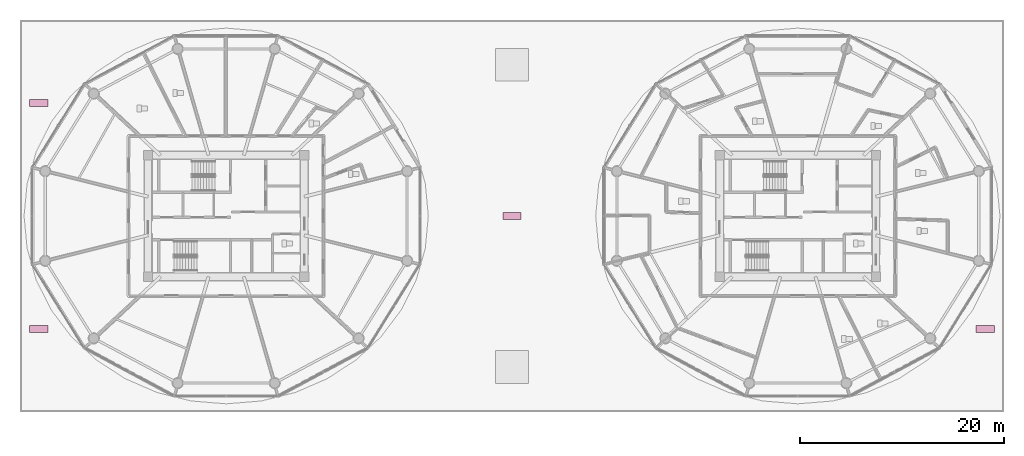
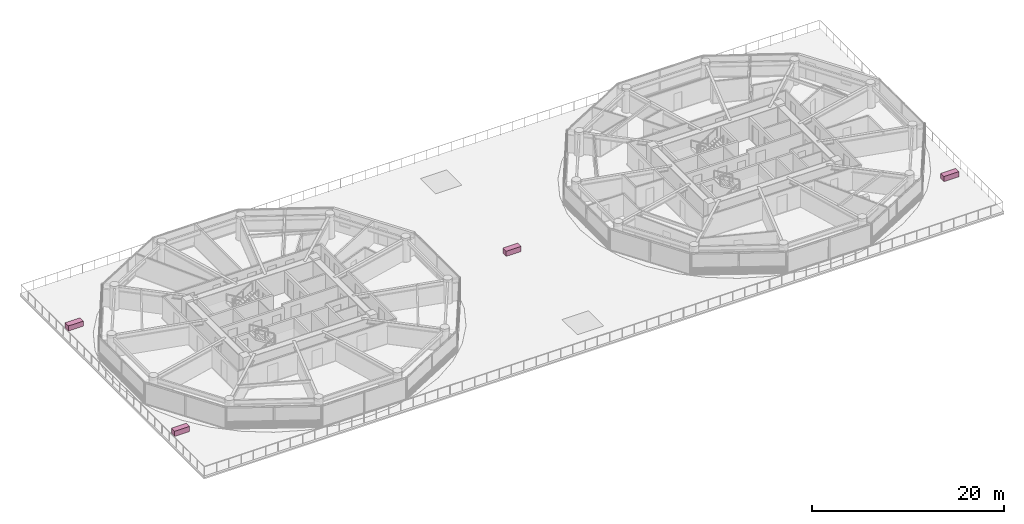
# One storey, part 32 of 32: 4 furnishings.
"""IFC4 building model written with IfcOpenShell, lengths in metres."""

from ifc_helpers import new_model, si_unit, direction, frame, origin, origin_2d, place, context, subcontext, project, spatial, rectangle, extrude, source, transform, mapped, material, type_object, type_shapes, element, save


model = new_model("IFC4")

# Units and contexts
model_context = context("Model", 3, precision=1e-05, world=origin(), true_north=direction((0.0, 1.0)))
body_context = subcontext(model_context, "Body", "Model", "MODEL_VIEW")
ifc_project = project(units=[si_unit("LENGTHUNIT", "METRE"), si_unit("AREAUNIT", "SQUARE_METRE"), si_unit("VOLUMEUNIT", "CUBIC_METRE"), si_unit("PLANEANGLEUNIT", "RADIAN"), si_unit("MASSUNIT", "GRAM", prefix="KILO")], contexts=[model_context])

# Site, building, storey
site_placement = place(None, origin())
site = spatial("IfcSite", under=ifc_project, at=site_placement, CompositionType="ELEMENT")
building_placement = place(site_placement, origin())
building = spatial("IfcBuilding", under=site, at=building_placement, Name="Norrkilde Senior Care Towers", CompositionType="ELEMENT")
storey_placement = place(building_placement, frame((0.0, 0.0, 21.60009765625)))
storey = spatial("IfcBuildingStorey", under=building, at=storey_placement, Name="L05", CompositionType="ELEMENT", Elevation=21.60009765625)

# Furnishings
ifc_material = material(Name="Architectural Terracotta", Category="masonry")
furnishing_element_type = type_object("IfcFurnishingElementType", Name="Nordic Terrace Planter Bed PLANTER", material=ifc_material)
shared_shape = source(origin(), body_context, "Body", "SweptSolid", [
    extrude(rectangle(XDim=1.800048828125, YDim=0.699951171875, at=origin_2d()), origin(), (0.0, 0.0, 1.0), 0.64990234375),
])
type_shapes(furnishing_element_type, [shared_shape])
for number, where, z_axis, x_axis, name in (
    (1, (0.0, 0.0, 0.0), (0.0, 0.0, 1.0), (1.0, 0.0, 0.0), "L05 Nordic Planted Terrace Bed 13"),
    (2, (-46.35009765625, 11.0732421875, 0.0), (0.0, 0.0, 1.0), (1.0, 0.0, 0.0), "L05 Nordic Planted Terrace Bed 14"),
    (3, (46.35009765625, -11.0732421875, 0.0), (0.0, 0.0, 1.0), (1.0, 0.0, 0.0), "L05 Nordic Planted Terrace Bed 15"),
    (4, (-46.35009765625, -11.0732421875, 0.0), (0.0, 0.0, 1.0), (1.0, 0.0, 0.0), "L05 Nordic Planted Terrace Bed 16"),
):
    element("IfcFurnishingElement", number, at=place(storey_placement, frame(where, z_axis=z_axis, x_axis=x_axis)), inside=storey, type_object=furnishing_element_type, Name=name, context=body_context, shape_type="MappedRepresentation", body=[
        mapped(shared_shape, transform((0.0, 0.0, 0.0), x_axis=(1.0, 0.0, 0.0), y_axis=(0.0, 1.0, 0.0), z_axis=(0.0, 0.0, 1.0), scale=1.0)),
    ])

save(model, "model.ifc")
